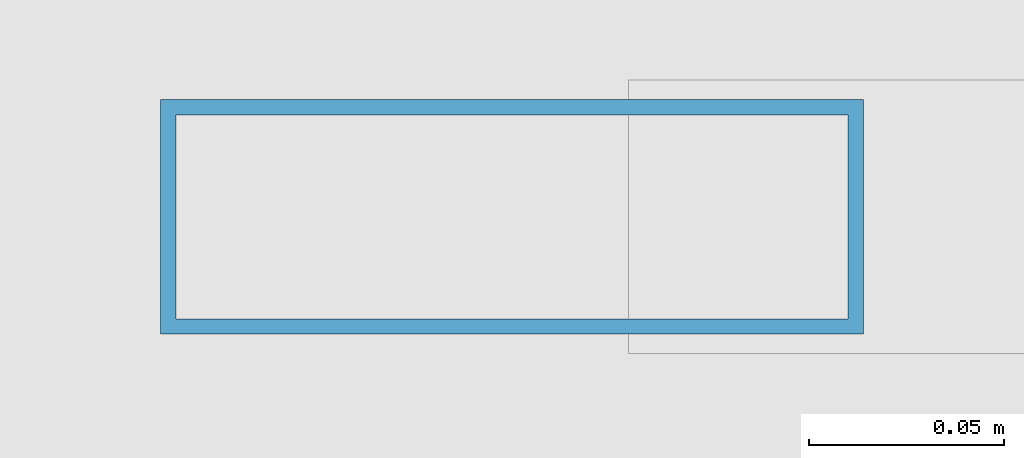
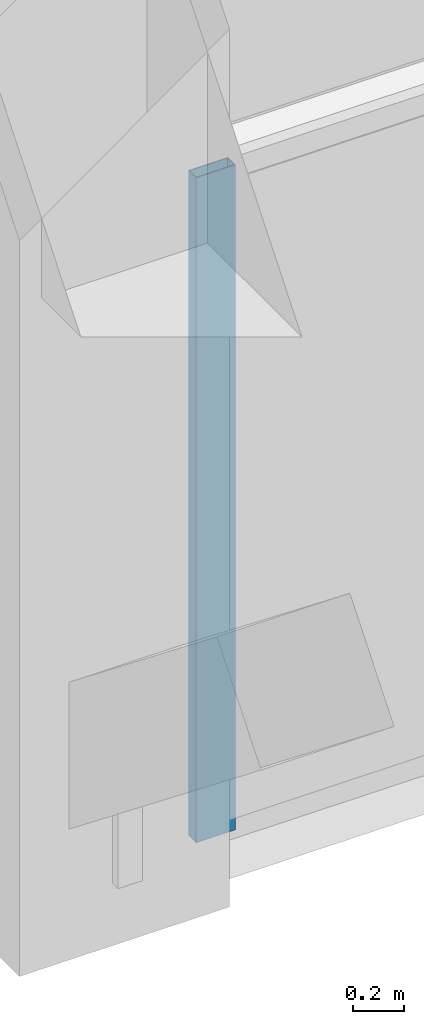
# One storey, part 11 of 54: 1 member, 1 element without a shape of its own.
"""IFC4 building model written with IfcOpenShell, lengths in metres."""

from ifc_helpers import new_model, si_unit, direction, frame, origin, origin_2d, place, context, subcontext, project, spatial, hollow_rectangle, extrude, material, material_profile, profile_set, type_object, element, aggregate, save


model = new_model("IFC4")

# Units and contexts
model_context = context("Model", 3, precision=1e-05, world=origin(), true_north=direction((0.0, 1.0)))
body_context = subcontext(model_context, "Body", "Model", "MODEL_VIEW")
ifc_project = project(units=[si_unit("LENGTHUNIT", "METRE"), si_unit("AREAUNIT", "SQUARE_METRE"), si_unit("VOLUMEUNIT", "CUBIC_METRE"), si_unit("PLANEANGLEUNIT", "RADIAN"), si_unit("MASSUNIT", "GRAM", prefix="KILO")], contexts=[model_context])

# Site, building, storey
site_placement = place(None, origin())
site = spatial("IfcSite", under=ifc_project, at=site_placement, CompositionType="ELEMENT")
building_placement = place(site_placement, origin())
building = spatial("IfcBuilding", under=site, at=building_placement, Name="Kazehaya Institute of Natural Sciences", CompositionType="ELEMENT")
storey_placement = place(building_placement, frame((0.0, 0.0, 10.43994140625)))
storey = spatial("IfcBuildingStorey", under=building, at=storey_placement, Name="L02", CompositionType="ELEMENT", Elevation=10.43994140625)

# Curtain wall, member
ifc_material = material(Name="Aluminium alloy A6063S-T5", Category="aluminium")
curtain_wall_type = type_object("IfcCurtainWallType", Name="CW-SYS-03", PredefinedType="NOTDEFINED", material=ifc_material)
curtain_wall_placement = place(storey_placement, origin())
curtain_wall = element("IfcCurtainWall", 1, at=curtain_wall_placement, inside=storey, type_object=curtain_wall_type, Name="L02 unitised curtain wall CW-L02-052", PredefinedType="NOTDEFINED")
ifc_material_profile = material_profile(ifc_material, hollow_rectangle(XDim=0.06005859375, YDim=0.179931640625, WallThickness=0.00390625, at=origin_2d()), Name="ALU-60x180x4")
ifc_profile_set = profile_set([ifc_material_profile], Name="Aluminium alloy A6063S-T5")
member_type = type_object("IfcMemberType", Name="CWM-180", PredefinedType="MULLION", material=ifc_profile_set)
member_placement = place(storey_placement, frame((84.070068359375, 14.0, 0.0), z_axis=(0.0, 0.0, 1.0), x_axis=(0.0, -1.0, 0.0)))
member = element("IfcMember", 2, at=member_placement, type_object=member_type, Name="CW03 mullion 3", PredefinedType="MULLION", context=body_context, shape_type="SweptSolid", body=[
    extrude(hollow_rectangle(XDim=0.06005859375, YDim=0.179931640625, WallThickness=0.00390625, at=origin_2d()), origin(), (0.0, 0.0, 1.0), 3.18017578125),
])
aggregate(curtain_wall, [member])

save(model, "model.ifc")
